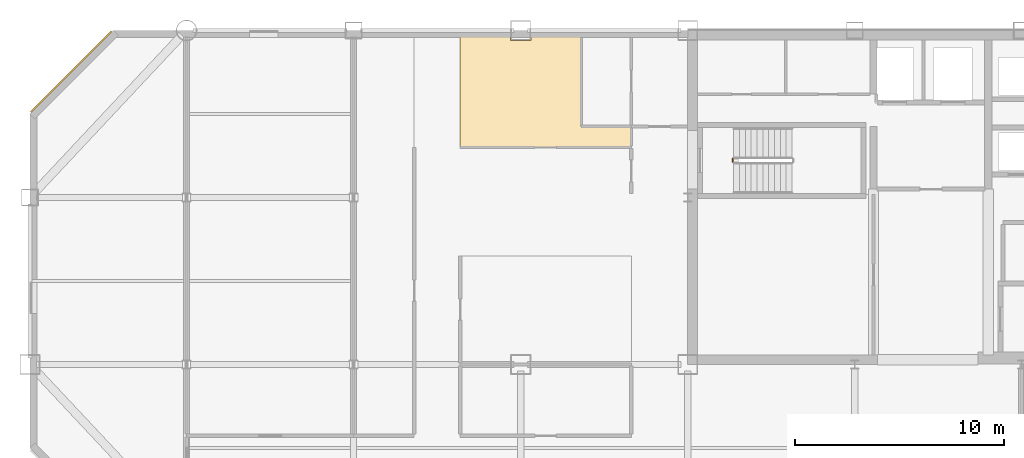
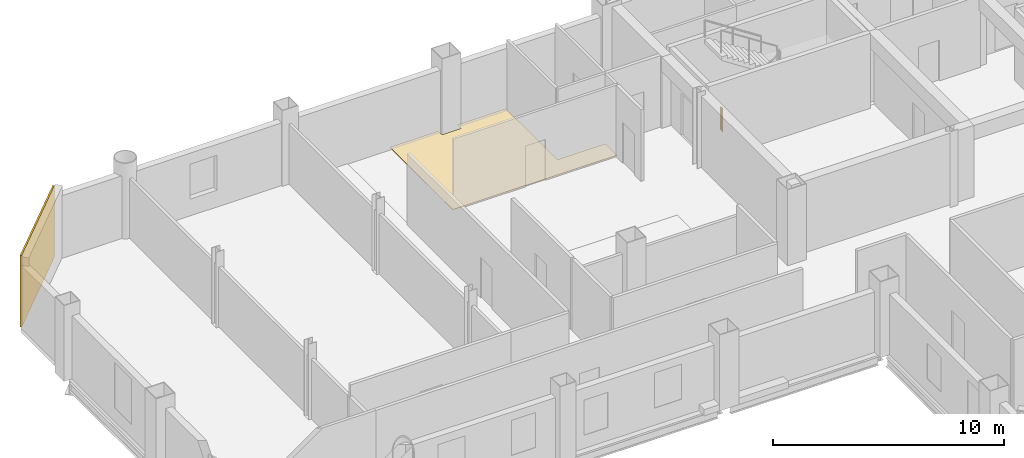
# One storey, part 9 of 10: 2 coverings, 1 railing.
"""IFC4 building model written with IfcOpenShell, lengths in metres."""

from ifc_helpers import new_model, si_unit, direction, frame, origin, origin_2d, place, context, subcontext, project, spatial, polyline, rectangle, circle, outline, extrude, material, layer, layer_set, type_object, element, save


model = new_model("IFC4")

# Units and contexts
model_context = context("Model", 3, precision=1e-05, world=origin(), true_north=direction((0.0, 1.0)))
body_context = subcontext(model_context, "Body", "Model", "MODEL_VIEW")
ifc_project = project(units=[si_unit("LENGTHUNIT", "METRE"), si_unit("AREAUNIT", "SQUARE_METRE"), si_unit("VOLUMEUNIT", "CUBIC_METRE"), si_unit("PLANEANGLEUNIT", "RADIAN"), si_unit("MASSUNIT", "GRAM", prefix="KILO")], contexts=[model_context])

# Site, building, storey
site_placement = place(None, origin())
site = spatial("IfcSite", under=ifc_project, at=site_placement, CompositionType="ELEMENT")
building_placement = place(site_placement, origin())
building = spatial("IfcBuilding", under=site, at=building_placement, Name="Qianrong Seaharbour Tower", CompositionType="ELEMENT")
storey_placement = place(building_placement, frame((0.0, 0.0, 217.800048828125)))
storey = spatial("IfcBuildingStorey", under=building, at=storey_placement, Name="L52", CompositionType="ELEMENT", Elevation=217.800048828125)

# Coverings
ifc_material_1 = material(Name="Unitised red brick cladding on Precast concrete C45/55", Category="masonry")
ifc_layer_1 = layer(ifc_material_1, 0.080078125)
ifc_layer_set_1 = layer_set([ifc_layer_1], Name="Unitised red brick cladding on Precast concrete C45/55")
covering_type_1 = type_object("IfcCoveringType", Name="COV-CLAD-RED-BRICK-80", PredefinedType="CLADDING", material=ifc_layer_set_1)
covering_1_placement = place(storey_placement, frame((10.9716796875, 50.0283203125, 0.0), z_axis=(0.0, 0.0, 1.0), x_axis=(0.707106781187, 0.707106781187, 0.0)))
element("IfcCovering", 1, at=covering_1_placement, inside=storey, type_object=covering_type_1, Name="L52 Chamfer Corner Brick Cladding 04", PredefinedType="CLADDING", context=body_context, shape_type="SweptSolid", body=[
    extrude(rectangle(XDim=5.456787109375, YDim=0.080078125, at=origin_2d()), origin(), (0.0, 0.0, 1.0), 3.77490234375),
])
ifc_material_2 = material(Name="Acoustic modular carpet tile flooring")
ifc_layer_2 = layer(ifc_material_2, 0.02001953125)
ifc_layer_set_2 = layer_set([ifc_layer_2], Name="Acoustic modular carpet tile flooring")
covering_type_2 = type_object("IfcCoveringType", Name="COV-FLOOR-CARPET-20", PredefinedType="FLOORING", material=ifc_layer_set_2)
covering_2_placement = place(storey_placement, origin())
element("IfcCovering", 2, at=covering_2_placement, inside=storey, type_object=covering_type_2, Name="L52 Wet Pantry 3 Finish Flooring", PredefinedType="FLOORING", context=body_context, shape_type="SweptSolid", body=[
    extrude(outline(polyline([(32.014892578125, 51.8349609375), (32.014892578125, 51.514892578125), (32.985107421875, 51.514892578125), (32.985107421875, 51.8349609375), (35.39990234375, 51.8349609375), (35.39990234375, 47.39990234375), (37.800048828125, 47.39990234375), (37.800048828125, 46.39990234375), (29.60009765625, 46.39990234375), (29.60009765625, 51.8349609375), (32.014892578125, 51.8349609375)])), origin(), (0.0, 0.0, 1.0), 0.02001953125),
])

# Railing
ifc_material_3 = material(Name="Galvanized painted steel SN400B stair guard", Category="steel")
railing_type = type_object("IfcRailingType", Name="RAIL-STAIR-GUARD-1220", PredefinedType="GUARDRAIL", material=ifc_material_3)
railing_placement = place(storey_placement, frame((42.64990234375, 45.699951171875, 0.0)))
element("IfcRailing", 3, at=railing_placement, inside=storey, type_object=railing_type, Name="L52 ST-1 stair guard 4", PredefinedType="GUARDRAIL", context=body_context, shape_type="SweptSolid", body=[
    extrude(circle(Radius=0.02392578125, at=origin_2d()), frame((0.0, 0.0, 1.19580078125), z_axis=(0.0, 1.0, 0.0), x_axis=(-1.0, 0.0, 0.0)), (0.0, 0.0, 1.0), 0.150146484375),
    extrude(circle(Radius=0.02099609375, at=origin_2d()), origin(), (0.0, 0.0, 1.0), 1.171875),
    extrude(circle(Radius=0.02099609375, at=origin_2d()), frame((0.0, 0.150146484375, 0.0)), (0.0, 0.0, 1.0), 1.171875),
])

save(model, "model.ifc")
